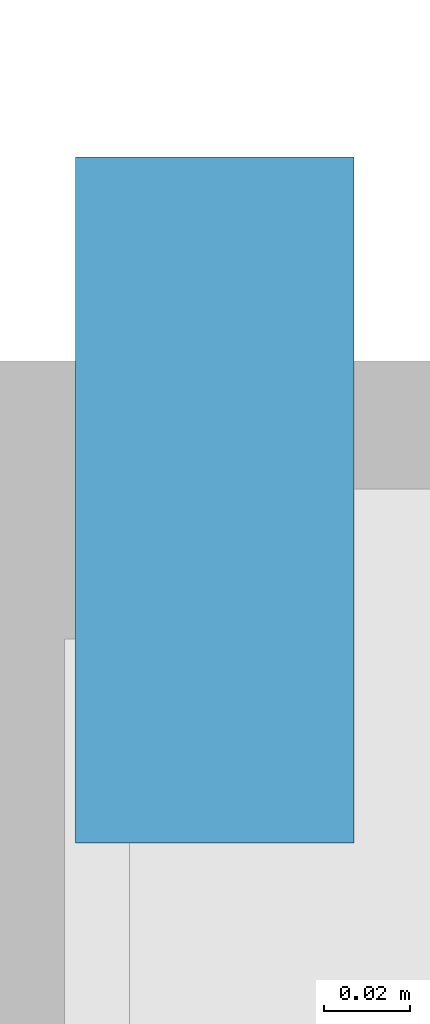
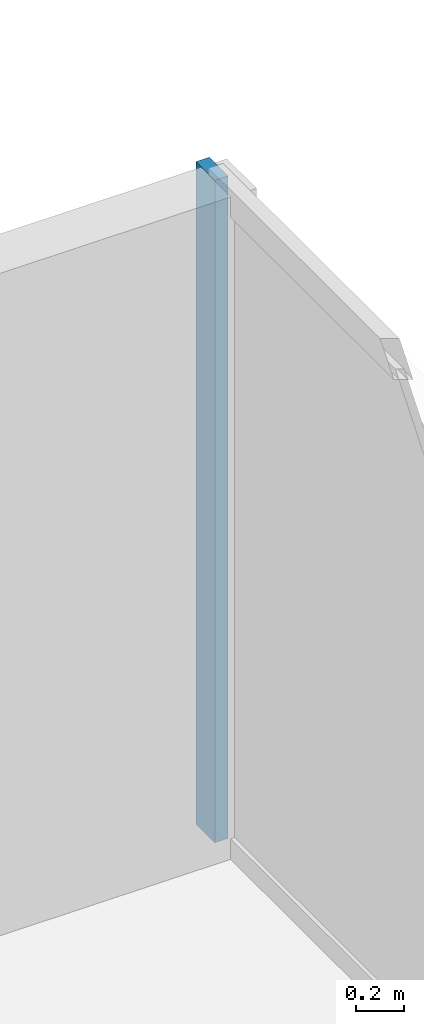
# One storey, part 6 of 14: 1 member, 1 element without a shape of its own.
"""IFC4 building model written with IfcOpenShell, lengths in metres."""

from ifc_helpers import new_model, si_unit, direction, frame, origin, origin_2d, place, context, subcontext, project, spatial, rectangle, extrude, material, layer, layer_set, material_profile, profile_set, type_object, element, aggregate, save


model = new_model("IFC4")

# Units and contexts
model_context = context("Model", 3, precision=1e-05, world=origin(), true_north=direction((0.0, 1.0)))
body_context = subcontext(model_context, "Body", "Model", "MODEL_VIEW")
ifc_project = project(units=[si_unit("LENGTHUNIT", "METRE"), si_unit("AREAUNIT", "SQUARE_METRE"), si_unit("VOLUMEUNIT", "CUBIC_METRE"), si_unit("PLANEANGLEUNIT", "RADIAN"), si_unit("MASSUNIT", "GRAM", prefix="KILO")], contexts=[model_context])

# Site, building, storey
site_placement = place(None, origin())
site = spatial("IfcSite", under=ifc_project, at=site_placement, CompositionType="ELEMENT")
building_placement = place(site_placement, origin())
building = spatial("IfcBuilding", under=site, at=building_placement, Name="Kinhvarn Gate Tower", CompositionType="ELEMENT")
storey_placement = place(building_placement, frame((0.0, 0.0, 267.0)))
storey = spatial("IfcBuildingStorey", under=building, at=storey_placement, Name="L71", CompositionType="ELEMENT", Elevation=267.0)

# Curtain wall, member
ifc_material = material(Name="Anodised aluminium AW-6063", Category="aluminium")
ifc_layer = layer(ifc_material, 0.179931640625)
ifc_layer_set = layer_set([ifc_layer], Name="Anodised aluminium AW-6063")
curtain_wall_type = type_object("IfcCurtainWallType", Name="CW-SYS-3", PredefinedType="NOTDEFINED", material=ifc_layer_set)
curtain_wall_placement = place(storey_placement, origin())
curtain_wall = element("IfcCurtainWall", 1, at=curtain_wall_placement, inside=storey, type_object=curtain_wall_type, Name="Curtain Wall CW3 (L71)", PredefinedType="NOTDEFINED")
ifc_material_profile = material_profile(ifc_material, rectangle(XDim=0.06494140625, YDim=0.159912109375, at=origin_2d()), Name="ALU 65x160")
ifc_profile_set = profile_set([ifc_material_profile], Name="Anodised aluminium AW-6063")
member_type = type_object("IfcMemberType", Name="CW-MUL-160", PredefinedType="MULLION", material=ifc_profile_set)
member_placement = place(storey_placement, frame((44.409912109375, 39.367431640625, 0.0), z_axis=(0.0, 0.0, 1.0), x_axis=(-1.0, 0.0, 0.0)))
member = element("IfcMember", 2, at=member_placement, type_object=member_type, Name="CW3 mullion 7", PredefinedType="MULLION", context=body_context, shape_type="SweptSolid", body=[
    extrude(rectangle(XDim=0.06494140625, YDim=0.159912109375, at=origin_2d()), origin(), (0.0, 0.0, 1.0), 3.389892578125),
])
aggregate(curtain_wall, [member])

save(model, "model.ifc")
